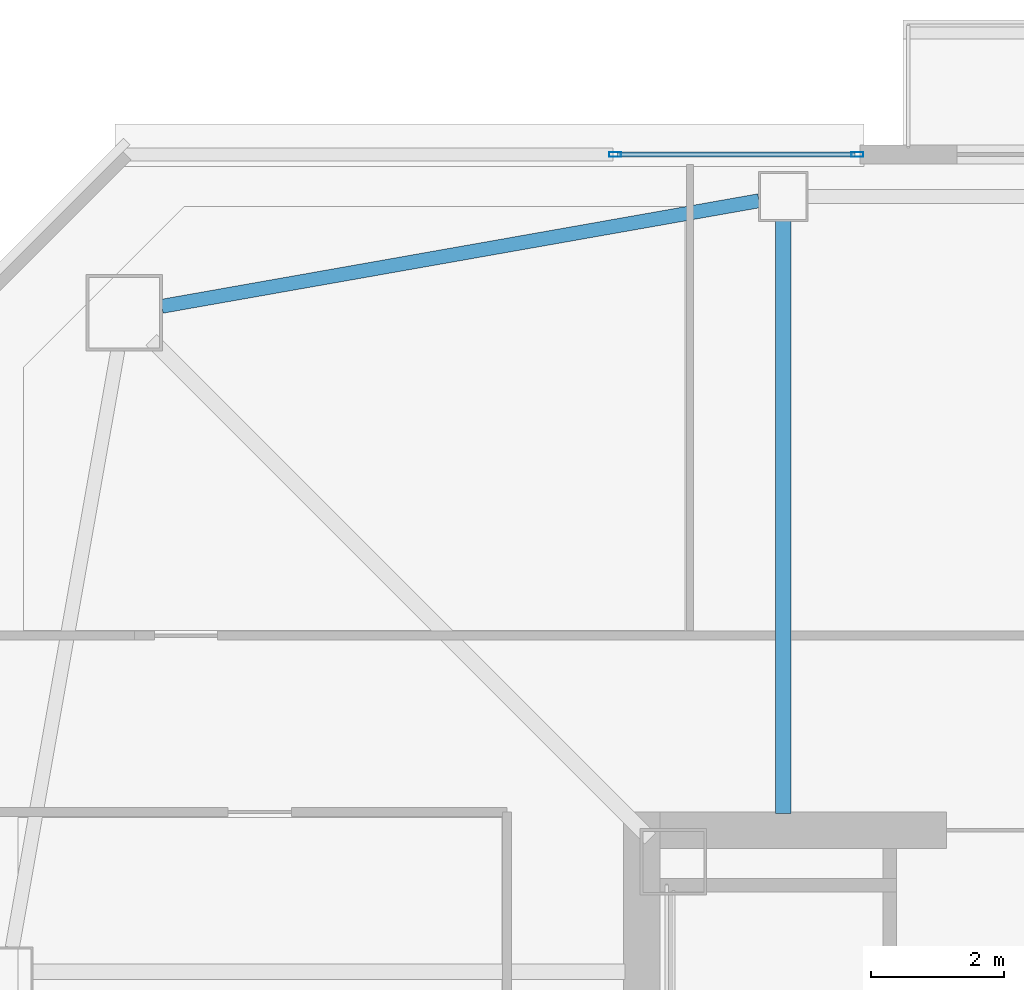
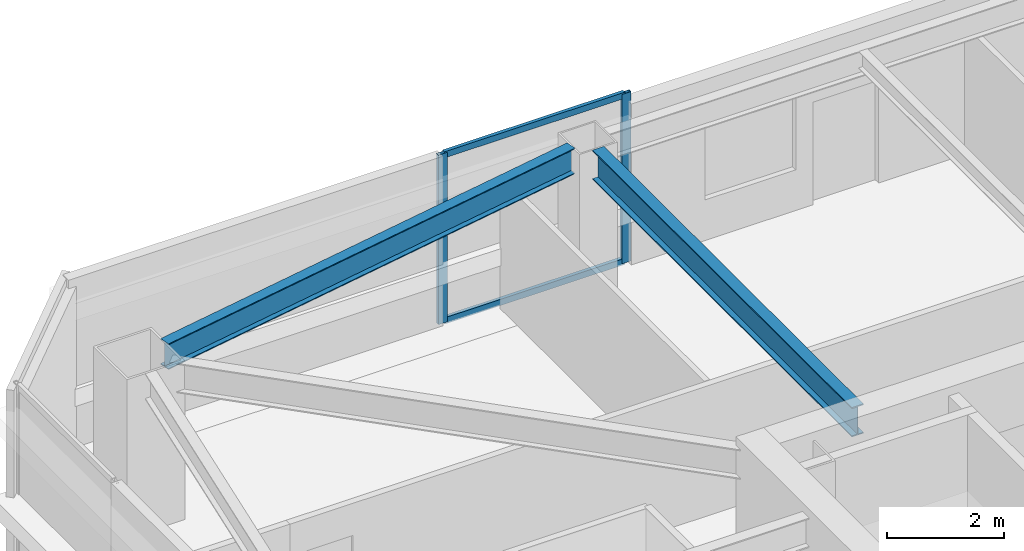
# One storey, part 14 of 46: 4 members, 2 beams, 1 element without a shape of its own.
"""IFC4 building model written with IfcOpenShell, lengths in metres."""

from ifc_helpers import new_model, si_unit, direction, frame, origin, origin_2d, place, context, subcontext, project, spatial, hollow_rectangle, i_section, extrude, material, material_profile, profile_set, type_object, element, aggregate, save


model = new_model("IFC4")

# Units and contexts
model_context = context("Model", 3, precision=1e-05, world=origin(), true_north=direction((0.0, 1.0)))
body_context = subcontext(model_context, "Body", "Model", "MODEL_VIEW")
ifc_project = project(units=[si_unit("LENGTHUNIT", "METRE"), si_unit("AREAUNIT", "SQUARE_METRE"), si_unit("VOLUMEUNIT", "CUBIC_METRE"), si_unit("PLANEANGLEUNIT", "RADIAN"), si_unit("MASSUNIT", "GRAM", prefix="KILO")], contexts=[model_context])

# Site, building, storey
site_placement = place(None, origin())
site = spatial("IfcSite", under=ifc_project, at=site_placement, CompositionType="ELEMENT")
building_placement = place(site_placement, origin())
building = spatial("IfcBuilding", under=site, at=building_placement, Name="Tashvorn Skyway Center", CompositionType="ELEMENT")
storey_placement = place(building_placement, frame((0.0, 0.0, 167.64990234375)))
storey = spatial("IfcBuildingStorey", under=building, at=storey_placement, Name="L45", CompositionType="ELEMENT", Elevation=167.64990234375)

# Beams
ifc_material_1 = material(Name="Steel ASTM A992 Grade 50", Category="steel")
ifc_material_profile_1 = material_profile(ifc_material_1, i_section(OverallWidth=0.22998046875, OverallDepth=0.616943359375, WebThickness=0.01318359375, FlangeThickness=0.022216796875, at=origin_2d()), Name="W24X94")
ifc_profile_set_1 = profile_set([ifc_material_profile_1], Name="Steel ASTM A992 Grade 50")
beam_type_1 = type_object("IfcBeamType", Name="BM-BEAM-W24X94", PredefinedType="BEAM", material=ifc_profile_set_1)
beam_1_placement = place(storey_placement, frame((36.60009765625, 48.679931640625, 3.0615234375), z_axis=(0.0, -1.0, 0.0), x_axis=(1.0, 0.0, 0.0)))
element("IfcBeam", 1, at=beam_1_placement, inside=storey, type_object=beam_type_1, Name="Tower 1 L45 Primary Floor Girder FC-N2", PredefinedType="BEAM", context=body_context, shape_type="SweptSolid", body=[
    extrude(i_section(OverallWidth=0.22998046875, OverallDepth=0.616943359375, WebThickness=0.01318359375, FlangeThickness=0.022216796875, at=origin_2d()), origin(), (0.0, 0.0, 1.0), 8.89990234375),
])
ifc_material_profile_2 = material_profile(ifc_material_1, i_section(OverallWidth=0.2109375, OverallDepth=0.5390625, WebThickness=0.01171875, FlangeThickness=0.018798828125, at=origin_2d()), Name="W21X73")
ifc_profile_set_2 = profile_set([ifc_material_profile_2], Name="Steel ASTM A992 Grade 50")
beam_type_2 = type_object("IfcBeamType", Name="BM-SPANDREL-W21X73", PredefinedType="SPANDREL", material=ifc_profile_set_2)
beam_2_placement = place(storey_placement, frame((36.235595703125, 48.985595703125, 3.1005859375), z_axis=(-0.984732545667, -0.174074160933, 0.0), x_axis=(0.174074160933, -0.984732545667, 0.0)))
element("IfcBeam", 2, at=beam_2_placement, inside=storey, type_object=beam_type_2, Name="Tower 1 L45 Spandrel Beam 09", PredefinedType="SPANDREL", context=body_context, shape_type="SweptSolid", body=[
    extrude(i_section(OverallWidth=0.2109375, OverallDepth=0.5390625, WebThickness=0.01171875, FlangeThickness=0.018798828125, at=origin_2d()), origin(), (0.0, 0.0, 1.0), 9.113525390625),
])

# Curtain wall, members
ifc_material_2 = material(Name="Thermally broken bronze-anodized aluminium 6063-T6", Category="aluminium")
curtain_wall_type = type_object("IfcCurtainWallType", Name="CW-CW-Z4", PredefinedType="NOTDEFINED", material=ifc_material_2)
curtain_wall_placement = place(storey_placement, origin())
curtain_wall = element("IfcCurtainWall", 3, at=curtain_wall_placement, inside=storey, type_object=curtain_wall_type, Name="Tower 1 L45 North Curtain Wall L Glazing Group 1", PredefinedType="NOTDEFINED")
ifc_material_profile_3 = material_profile(ifc_material_2, hollow_rectangle(XDim=0.070068359375, YDim=0.179931640625, WallThickness=0.00390625, at=origin_2d()), Name="ALU-MULL-70x180")
ifc_profile_set_3 = profile_set([ifc_material_profile_3], Name="Thermally broken bronze-anodized aluminium 6063-T6")
member_type_1 = type_object("IfcMemberType", Name="CWM-CW-Z4", PredefinedType="MULLION", material=ifc_profile_set_3)
member_1_placement = place(storey_placement, frame((34.074951171875, 49.679931640625, 0.0), z_axis=(0.0, 0.0, 1.0), x_axis=(0.0, 1.0, 0.0)))
member_1 = element("IfcMember", 4, at=member_1_placement, type_object=member_type_1, Name="CW-Z4 mullion 1", PredefinedType="MULLION", context=body_context, shape_type="SweptSolid", body=[
    extrude(hollow_rectangle(XDim=0.070068359375, YDim=0.179931640625, WallThickness=0.00390625, at=origin_2d()), origin(), (0.0, 0.0, 1.0), 3.550048828125),
])
member_2_placement = place(storey_placement, frame((37.715087890625, 49.679931640625, 0.0), z_axis=(0.0, 0.0, 1.0), x_axis=(0.0, 1.0, 0.0)))
member_2 = element("IfcMember", 5, at=member_2_placement, type_object=member_type_1, Name="CW-Z4 mullion 2", PredefinedType="MULLION", context=body_context, shape_type="SweptSolid", body=[
    extrude(hollow_rectangle(XDim=0.070068359375, YDim=0.179931640625, WallThickness=0.00390625, at=origin_2d()), origin(), (0.0, 0.0, 1.0), 3.550048828125),
])
ifc_material_profile_4 = material_profile(ifc_material_2, hollow_rectangle(XDim=0.070068359375, YDim=0.1298828125, WallThickness=0.00390625, at=origin_2d()), Name="ALU-TRAN-70x130")
ifc_profile_set_4 = profile_set([ifc_material_profile_4], Name="Thermally broken bronze-anodized aluminium 6063-T6")
member_type_2 = type_object("IfcMemberType", Name="CWT-CW-Z4", PredefinedType="USERDEFINED", material=ifc_profile_set_4)
member_3_placement = place(storey_placement, frame((34.110107421875, 49.679931640625, 0.03515625), z_axis=(1.0, 0.0, 0.0), x_axis=(0.0, 1.0, 0.0)))
member_3 = element("IfcMember", 6, at=member_3_placement, type_object=member_type_2, Name="CW-Z4 transom 1.1", ObjectType="TRANSOM", PredefinedType="USERDEFINED", context=body_context, shape_type="SweptSolid", body=[
    extrude(hollow_rectangle(XDim=0.070068359375, YDim=0.1298828125, WallThickness=0.00390625, at=origin_2d()), origin(), (0.0, 0.0, 1.0), 3.56982421875),
])
member_4_placement = place(storey_placement, frame((34.110107421875, 49.679931640625, 3.51513671875), z_axis=(1.0, 0.0, 0.0), x_axis=(0.0, 1.0, 0.0)))
member_4 = element("IfcMember", 7, at=member_4_placement, type_object=member_type_2, Name="CW-Z4 transom 1.2", ObjectType="TRANSOM", PredefinedType="USERDEFINED", context=body_context, shape_type="SweptSolid", body=[
    extrude(hollow_rectangle(XDim=0.070068359375, YDim=0.1298828125, WallThickness=0.00390625, at=origin_2d()), origin(), (0.0, 0.0, 1.0), 3.56982421875),
])
aggregate(curtain_wall, [member_1, member_2, member_3, member_4])

save(model, "model.ifc")
